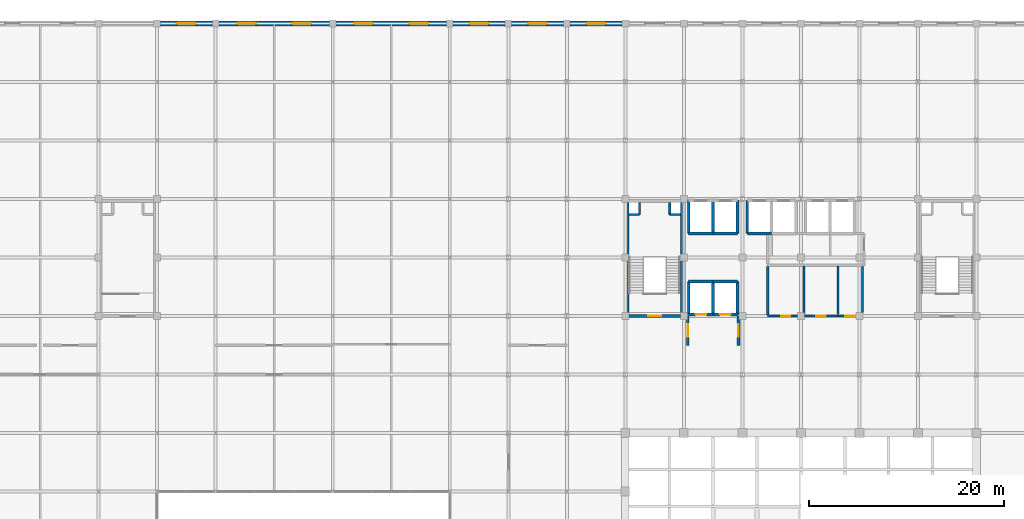
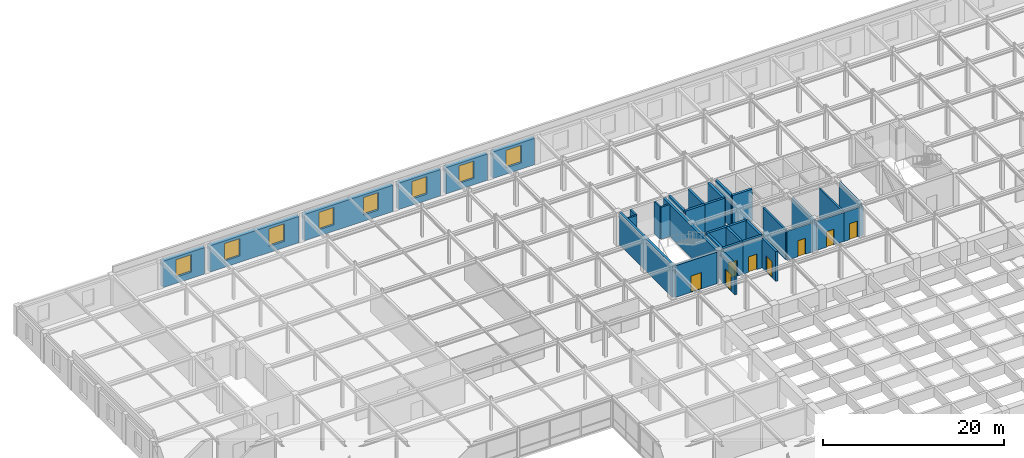
# One storey, part 105 of 111: 36 walls, 8 doors, 8 windows, 16 openings.
"""IFC4 building model written with IfcOpenShell, lengths in metres."""

from ifc_helpers import new_model, si_unit, direction, frame, frame_2d, origin, place, context, subcontext, project, spatial, rectangle, extrude, material, layer, layer_set, type_object, element, fill, save


model = new_model("IFC4")

# Units and contexts
model_context = context("Model", 3, precision=1e-05, world=origin(), true_north=direction((0.0, 1.0)))
body_context = subcontext(model_context, "Body", "Model", "MODEL_VIEW")
ifc_project = project(units=[si_unit("LENGTHUNIT", "METRE"), si_unit("AREAUNIT", "SQUARE_METRE"), si_unit("VOLUMEUNIT", "CUBIC_METRE"), si_unit("PLANEANGLEUNIT", "RADIAN"), si_unit("MASSUNIT", "GRAM", prefix="KILO")], contexts=[model_context])

# Site, building, storey
site_placement = place(None, origin())
site = spatial("IfcSite", under=ifc_project, at=site_placement, CompositionType="ELEMENT")
building_placement = place(site_placement, origin())
building = spatial("IfcBuilding", under=site, at=building_placement, Name="Zlatovratsky Civic Hall", CompositionType="ELEMENT")
storey_placement = place(building_placement, frame((0.0, 0.0, 16.5)))
storey = spatial("IfcBuildingStorey", under=building, at=storey_placement, Name="L04", CompositionType="ELEMENT", Elevation=16.5)

# Wall, opening, window
ifc_material_1 = material(Name="Acoustic ceramic blockwork", Category="masonry")
ifc_layer_1 = layer(ifc_material_1, 0.39990234375, Name="Backing")
ifc_material_2 = material(Name="Polished Karelian granite ashlar", Category="masonry")
ifc_layer_2 = layer(ifc_material_2, 0.139892578125, Name="Finish")
ifc_layer_set_1 = layer_set([ifc_layer_1, ifc_layer_2], Name="Acoustic ceramic blockwork")
wall_type_1 = type_object("IfcWallType", Name="Wall_PodiumGraniteArcade_540", PredefinedType="SOLIDWALL", material=ifc_layer_set_1)
wall_1_placement = place(storey_placement, frame((18.35009765625, 114.0, 0.0), z_axis=(0.0, 0.0, 1.0), x_axis=(1.0, 0.0, 0.0)))
wall_1 = element("IfcWall", 1, at=wall_1_placement, inside=storey, type_object=wall_type_1, Name="WL-0335", PredefinedType="SOLIDWALL", context=body_context, shape_type="SweptSolid", body=[
    extrude(rectangle(XDim=5.2998046875, YDim=0.5400390625, at=frame_2d((2.64990234375, 0.0))), origin(), (0.0, 0.0, 1.0), 3.550048828125),
])
opening_1_placement = place(wall_1_placement, frame((1.675048828125, 0.0, 0.85009765625)))
opening_1 = element("IfcOpeningElement", 2, at=opening_1_placement, cuts=wall_1, Name="Opening WN-11", PredefinedType="OPENING", context=body_context, shape_type="SweptSolid", body=[
    extrude(rectangle(XDim=1.949951171875, YDim=2.35009765625, at=frame_2d((0.97509765625, 1.175048828125))), frame((0.0, 0.284912109375, 0.0), z_axis=(0.0, -1.0, 0.0), x_axis=(1.0, 0.0, 0.0)), (0.0, 0.0, 1.0), 0.56982421875),
])
ifc_material_3 = material(Name="Low-E laminated double glazing", Category="glass")
window_type = type_object("IfcWindowType", Name="Window_AuditWingL04_1950x2350", PartitioningType="SINGLE_PANEL", PredefinedType="WINDOW", material=ifc_material_3)
window_1_placement = place(opening_1_placement, origin())
window_1 = element("IfcWindow", 3, at=window_1_placement, inside=storey, type_object=window_type, Name="WN-0259", OverallHeight=2.35009765625, OverallWidth=1.949951171875, PartitioningType="SINGLE_PANEL", PredefinedType="WINDOW", context=body_context, shape_type="SweptSolid", body=[
    extrude(rectangle(XDim=1.949951171875, YDim=2.35009765625, at=frame_2d((0.97509765625, 1.175048828125))), frame((0.0, 0.030029296875, 0.0), z_axis=(0.0, -1.0, 0.0), x_axis=(1.0, 0.0, 0.0)), (0.0, 0.0, 1.0), 0.06005859375),
])
fill(opening_1, window_1)

# Wall, openings, windows
wall_2_placement = place(storey_placement, frame((24.35009765625, 114.0, 0.0), z_axis=(0.0, 0.0, 1.0), x_axis=(1.0, 0.0, 0.0)))
wall_2 = element("IfcWall", 4, at=wall_2_placement, inside=storey, type_object=wall_type_1, Name="WL-0336", PredefinedType="SOLIDWALL", context=body_context, shape_type="SweptSolid", body=[
    extrude(rectangle(XDim=11.2998046875, YDim=0.5400390625, at=frame_2d((5.64990234375, 0.0))), origin(), (0.0, 0.0, 1.0), 3.550048828125),
])
opening_2_placement = place(wall_2_placement, frame((1.85009765625, 0.0, 0.85009765625)))
opening_2 = element("IfcOpeningElement", 5, at=opening_2_placement, cuts=wall_2, Name="Opening WN-11", PredefinedType="OPENING", context=body_context, shape_type="SweptSolid", body=[
    extrude(rectangle(XDim=1.949951171875, YDim=2.35009765625, at=frame_2d((0.97509765625, 1.175048828125))), frame((0.0, 0.284912109375, 0.0), z_axis=(0.0, -1.0, 0.0), x_axis=(1.0, 0.0, 0.0)), (0.0, 0.0, 1.0), 0.56982421875),
])
opening_3_placement = place(wall_2_placement, frame((7.5, 0.0, 0.85009765625)))
opening_3 = element("IfcOpeningElement", 6, at=opening_3_placement, cuts=wall_2, Name="Opening WN-11", PredefinedType="OPENING", context=body_context, shape_type="SweptSolid", body=[
    extrude(rectangle(XDim=1.949951171875, YDim=2.35009765625, at=frame_2d((0.97509765625, 1.175048828125))), frame((0.0, 0.284912109375, 0.0), z_axis=(0.0, -1.0, 0.0), x_axis=(1.0, 0.0, 0.0)), (0.0, 0.0, 1.0), 0.56982421875),
])
window_2_placement = place(opening_2_placement, origin())
window_2 = element("IfcWindow", 7, at=window_2_placement, inside=storey, type_object=window_type, Name="WN-0260", OverallHeight=2.35009765625, OverallWidth=1.949951171875, PartitioningType="SINGLE_PANEL", PredefinedType="WINDOW", context=body_context, shape_type="SweptSolid", body=[
    extrude(rectangle(XDim=1.949951171875, YDim=2.35009765625, at=frame_2d((0.97509765625, 1.175048828125))), frame((0.0, 0.030029296875, 0.0), z_axis=(0.0, -1.0, 0.0), x_axis=(1.0, 0.0, 0.0)), (0.0, 0.0, 1.0), 0.06005859375),
])
fill(opening_2, window_2)
window_3_placement = place(opening_3_placement, origin())
window_3 = element("IfcWindow", 8, at=window_3_placement, inside=storey, type_object=window_type, Name="WN-0261", OverallHeight=2.35009765625, OverallWidth=1.949951171875, PartitioningType="SINGLE_PANEL", PredefinedType="WINDOW", context=body_context, shape_type="SweptSolid", body=[
    extrude(rectangle(XDim=1.949951171875, YDim=2.35009765625, at=frame_2d((0.97509765625, 1.175048828125))), frame((0.0, 0.030029296875, 0.0), z_axis=(0.0, -1.0, 0.0), x_axis=(1.0, 0.0, 0.0)), (0.0, 0.0, 1.0), 0.06005859375),
])
fill(opening_3, window_3)

wall_3_placement = place(storey_placement, frame((36.35009765625, 114.0, 0.0), z_axis=(0.0, 0.0, 1.0), x_axis=(1.0, 0.0, 0.0)))
wall_3 = element("IfcWall", 9, at=wall_3_placement, inside=storey, type_object=wall_type_1, Name="WL-0337", PredefinedType="SOLIDWALL", context=body_context, shape_type="SweptSolid", body=[
    extrude(rectangle(XDim=11.2998046875, YDim=0.5400390625, at=frame_2d((5.64990234375, 0.0))), origin(), (0.0, 0.0, 1.0), 3.550048828125),
])
opening_4_placement = place(wall_3_placement, frame((1.85009765625, 0.0, 0.85009765625)))
opening_4 = element("IfcOpeningElement", 10, at=opening_4_placement, cuts=wall_3, Name="Opening WN-11", PredefinedType="OPENING", context=body_context, shape_type="SweptSolid", body=[
    extrude(rectangle(XDim=1.949951171875, YDim=2.35009765625, at=frame_2d((0.97509765625, 1.175048828125))), frame((0.0, 0.284912109375, 0.0), z_axis=(0.0, -1.0, 0.0), x_axis=(1.0, 0.0, 0.0)), (0.0, 0.0, 1.0), 0.56982421875),
])
opening_5_placement = place(wall_3_placement, frame((7.5, 0.0, 0.85009765625)))
opening_5 = element("IfcOpeningElement", 11, at=opening_5_placement, cuts=wall_3, Name="Opening WN-11", PredefinedType="OPENING", context=body_context, shape_type="SweptSolid", body=[
    extrude(rectangle(XDim=1.949951171875, YDim=2.35009765625, at=frame_2d((0.97509765625, 1.175048828125))), frame((0.0, 0.284912109375, 0.0), z_axis=(0.0, -1.0, 0.0), x_axis=(1.0, 0.0, 0.0)), (0.0, 0.0, 1.0), 0.56982421875),
])
window_4_placement = place(opening_4_placement, origin())
window_4 = element("IfcWindow", 12, at=window_4_placement, inside=storey, type_object=window_type, Name="WN-0262", OverallHeight=2.35009765625, OverallWidth=1.949951171875, PartitioningType="SINGLE_PANEL", PredefinedType="WINDOW", context=body_context, shape_type="SweptSolid", body=[
    extrude(rectangle(XDim=1.949951171875, YDim=2.35009765625, at=frame_2d((0.97509765625, 1.175048828125))), frame((0.0, 0.030029296875, 0.0), z_axis=(0.0, -1.0, 0.0), x_axis=(1.0, 0.0, 0.0)), (0.0, 0.0, 1.0), 0.06005859375),
])
fill(opening_4, window_4)
window_5_placement = place(opening_5_placement, origin())
window_5 = element("IfcWindow", 13, at=window_5_placement, inside=storey, type_object=window_type, Name="WN-0263", OverallHeight=2.35009765625, OverallWidth=1.949951171875, PartitioningType="SINGLE_PANEL", PredefinedType="WINDOW", context=body_context, shape_type="SweptSolid", body=[
    extrude(rectangle(XDim=1.949951171875, YDim=2.35009765625, at=frame_2d((0.97509765625, 1.175048828125))), frame((0.0, 0.030029296875, 0.0), z_axis=(0.0, -1.0, 0.0), x_axis=(1.0, 0.0, 0.0)), (0.0, 0.0, 1.0), 0.06005859375),
])
fill(opening_5, window_5)

# Wall, opening, window
wall_4_placement = place(storey_placement, frame((48.35009765625, 114.0, 0.0), z_axis=(0.0, 0.0, 1.0), x_axis=(1.0, 0.0, 0.0)))
wall_4 = element("IfcWall", 14, at=wall_4_placement, inside=storey, type_object=wall_type_1, Name="WL-0338", PredefinedType="SOLIDWALL", context=body_context, shape_type="SweptSolid", body=[
    extrude(rectangle(XDim=5.2998046875, YDim=0.5400390625, at=frame_2d((2.64990234375, 0.0))), origin(), (0.0, 0.0, 1.0), 3.550048828125),
])
opening_6_placement = place(wall_4_placement, frame((1.675048828125, 0.0, 0.85009765625)))
opening_6 = element("IfcOpeningElement", 15, at=opening_6_placement, cuts=wall_4, Name="Opening WN-11", PredefinedType="OPENING", context=body_context, shape_type="SweptSolid", body=[
    extrude(rectangle(XDim=1.949951171875, YDim=2.35009765625, at=frame_2d((0.97509765625, 1.175048828125))), frame((0.0, 0.284912109375, 0.0), z_axis=(0.0, -1.0, 0.0), x_axis=(1.0, 0.0, 0.0)), (0.0, 0.0, 1.0), 0.56982421875),
])
window_6_placement = place(opening_6_placement, origin())
window_6 = element("IfcWindow", 16, at=window_6_placement, inside=storey, type_object=window_type, Name="WN-0264", OverallHeight=2.35009765625, OverallWidth=1.949951171875, PartitioningType="SINGLE_PANEL", PredefinedType="WINDOW", context=body_context, shape_type="SweptSolid", body=[
    extrude(rectangle(XDim=1.949951171875, YDim=2.35009765625, at=frame_2d((0.97509765625, 1.175048828125))), frame((0.0, 0.030029296875, 0.0), z_axis=(0.0, -1.0, 0.0), x_axis=(1.0, 0.0, 0.0)), (0.0, 0.0, 1.0), 0.06005859375),
])
fill(opening_6, window_6)

wall_5_placement = place(storey_placement, frame((54.35009765625, 114.0, 0.0), z_axis=(0.0, 0.0, 1.0), x_axis=(1.0, 0.0, 0.0)))
wall_5 = element("IfcWall", 17, at=wall_5_placement, inside=storey, type_object=wall_type_1, Name="WL-0339", PredefinedType="SOLIDWALL", context=body_context, shape_type="SweptSolid", body=[
    extrude(rectangle(XDim=5.2998046875, YDim=0.5400390625, at=frame_2d((2.64990234375, 0.0))), origin(), (0.0, 0.0, 1.0), 3.550048828125),
])
opening_7_placement = place(wall_5_placement, frame((1.675048828125, 0.0, 0.85009765625)))
opening_7 = element("IfcOpeningElement", 18, at=opening_7_placement, cuts=wall_5, Name="Opening WN-11", PredefinedType="OPENING", context=body_context, shape_type="SweptSolid", body=[
    extrude(rectangle(XDim=1.949951171875, YDim=2.35009765625, at=frame_2d((0.97509765625, 1.175048828125))), frame((0.0, 0.284912109375, 0.0), z_axis=(0.0, -1.0, 0.0), x_axis=(1.0, 0.0, 0.0)), (0.0, 0.0, 1.0), 0.56982421875),
])
window_7_placement = place(opening_7_placement, origin())
window_7 = element("IfcWindow", 19, at=window_7_placement, inside=storey, type_object=window_type, Name="WN-0265", OverallHeight=2.35009765625, OverallWidth=1.949951171875, PartitioningType="SINGLE_PANEL", PredefinedType="WINDOW", context=body_context, shape_type="SweptSolid", body=[
    extrude(rectangle(XDim=1.949951171875, YDim=2.35009765625, at=frame_2d((0.97509765625, 1.175048828125))), frame((0.0, 0.030029296875, 0.0), z_axis=(0.0, -1.0, 0.0), x_axis=(1.0, 0.0, 0.0)), (0.0, 0.0, 1.0), 0.06005859375),
])
fill(opening_7, window_7)

wall_6_placement = place(storey_placement, frame((60.35009765625, 114.0, 0.0), z_axis=(0.0, 0.0, 1.0), x_axis=(1.0, 0.0, 0.0)))
wall_6 = element("IfcWall", 20, at=wall_6_placement, inside=storey, type_object=wall_type_1, Name="WL-0340", PredefinedType="SOLIDWALL", context=body_context, shape_type="SweptSolid", body=[
    extrude(rectangle(XDim=5.2998046875, YDim=0.5400390625, at=frame_2d((2.64990234375, 0.0))), origin(), (0.0, 0.0, 1.0), 3.550048828125),
])
opening_8_placement = place(wall_6_placement, frame((1.675048828125, 0.0, 0.85009765625)))
opening_8 = element("IfcOpeningElement", 21, at=opening_8_placement, cuts=wall_6, Name="Opening WN-11", PredefinedType="OPENING", context=body_context, shape_type="SweptSolid", body=[
    extrude(rectangle(XDim=1.949951171875, YDim=2.35009765625, at=frame_2d((0.97509765625, 1.175048828125))), frame((0.0, 0.284912109375, 0.0), z_axis=(0.0, -1.0, 0.0), x_axis=(1.0, 0.0, 0.0)), (0.0, 0.0, 1.0), 0.56982421875),
])
window_8_placement = place(opening_8_placement, origin())
window_8 = element("IfcWindow", 22, at=window_8_placement, inside=storey, type_object=window_type, Name="WN-0266", OverallHeight=2.35009765625, OverallWidth=1.949951171875, PartitioningType="SINGLE_PANEL", PredefinedType="WINDOW", context=body_context, shape_type="SweptSolid", body=[
    extrude(rectangle(XDim=1.949951171875, YDim=2.35009765625, at=frame_2d((0.97509765625, 1.175048828125))), frame((0.0, 0.030029296875, 0.0), z_axis=(0.0, -1.0, 0.0), x_axis=(1.0, 0.0, 0.0)), (0.0, 0.0, 1.0), 0.06005859375),
])
fill(opening_8, window_8)

# Walls
ifc_layer_3 = layer(ifc_material_1, 0.219970703125)
ifc_layer_set_2 = layer_set([ifc_layer_3], Name="Acoustic ceramic blockwork")
wall_type_2 = type_object("IfcWallType", Name="Wall_SanitaryWetCore_220", PredefinedType="PARTITIONING", material=ifc_layer_set_2)
wall_7_placement = place(storey_placement, frame((67.449951171875, 94.39990234375, 0.0), z_axis=(0.0, 0.0, 1.0), x_axis=(0.0, 1.0, 0.0)))
element("IfcWall", 23, at=wall_7_placement, inside=storey, type_object=wall_type_2, Name="WL-5037", PredefinedType="PARTITIONING", context=body_context, shape_type="SweptSolid", body=[
    extrude(rectangle(XDim=1.25, YDim=0.219970703125, at=frame_2d((0.625, 0.0))), origin(), (0.0, 0.0, 1.0), 4.340087890625),
])
wall_8_placement = place(storey_placement, frame((66.35009765625, 94.39990234375, 0.0), z_axis=(0.0, 0.0, 1.0), x_axis=(1.0, 0.0, 0.0)))
element("IfcWall", 24, at=wall_8_placement, inside=storey, type_object=wall_type_2, Name="WL-5038", PredefinedType="PARTITIONING", context=body_context, shape_type="SweptSolid", body=[
    extrude(rectangle(XDim=1.099853515625, YDim=0.219970703125, at=frame_2d((0.5498046875, 0.0))), origin(), (0.0, 0.0, 1.0), 4.340087890625),
])
wall_9_placement = place(storey_placement, frame((70.550048828125, 94.39990234375, 0.0), z_axis=(0.0, 0.0, 1.0), x_axis=(0.0, 1.0, 0.0)))
element("IfcWall", 25, at=wall_9_placement, inside=storey, type_object=wall_type_2, Name="WL-5039", PredefinedType="PARTITIONING", context=body_context, shape_type="SweptSolid", body=[
    extrude(rectangle(XDim=1.25, YDim=0.219970703125, at=frame_2d((0.625, 0.0))), origin(), (0.0, 0.0, 1.0), 4.340087890625),
])
wall_10_placement = place(storey_placement, frame((70.550048828125, 94.39990234375, 0.0), z_axis=(0.0, 0.0, 1.0), x_axis=(1.0, 0.0, 0.0)))
element("IfcWall", 26, at=wall_10_placement, inside=storey, type_object=wall_type_2, Name="WL-5040", PredefinedType="PARTITIONING", context=body_context, shape_type="SweptSolid", body=[
    extrude(rectangle(XDim=1.099853515625, YDim=0.219970703125, at=frame_2d((0.5498046875, 0.0))), origin(), (0.0, 0.0, 1.0), 4.340087890625),
])

# Wall, opening, door
wall_11_placement = place(storey_placement, frame((80.60009765625, 84.0, 0.0), z_axis=(0.0, 0.0, 1.0), x_axis=(1.0, 0.0, 0.0)))
wall_11 = element("IfcWall", 27, at=wall_11_placement, inside=storey, type_object=wall_type_2, Name="WL-6212", PredefinedType="PARTITIONING", context=body_context, shape_type="SweptSolid", body=[
    extrude(rectangle(XDim=3.699951171875, YDim=0.219970703125, at=frame_2d((1.85009765625, 0.0))), origin(), (0.0, 0.0, 1.0), 3.89990234375),
])
opening_9_placement = place(wall_11_placement, frame((1.375, 0.0, 0.0)))
opening_9 = element("IfcOpeningElement", 28, at=opening_9_placement, cuts=wall_11, Name="Opening D-21", PredefinedType="OPENING", context=body_context, shape_type="SweptSolid", body=[
    extrude(rectangle(XDim=0.949951171875, YDim=2.14990234375, at=frame_2d((0.47509765625, 1.074951171875))), frame((0.0, 0.125, 0.0), z_axis=(0.0, -1.0, 0.0), x_axis=(1.0, 0.0, 0.0)), (0.0, 0.0, 1.0), 0.249755859375),
])
ifc_material_4 = material(Name="Solid oak joinery in steel frame", Category="steel")
door_type_1 = type_object("IfcDoorType", Name="Door_MensWC_950x2150", OperationType="NOTDEFINED", PredefinedType="DOOR", material=ifc_material_4)
door_1_placement = place(opening_9_placement, origin())
door_1 = element("IfcDoor", 29, at=door_1_placement, inside=storey, type_object=door_type_1, Name="DR-5316", OperationType="SINGLE_SWING_LEFT", OverallHeight=2.14990234375, OverallWidth=0.949951171875, PredefinedType="DOOR", context=body_context, shape_type="SweptSolid", body=[
    extrude(rectangle(XDim=0.949951171875, YDim=2.14990234375, at=frame_2d((0.47509765625, 1.074951171875))), frame((0.0, 0.02490234375, 0.0), z_axis=(0.0, -1.0, 0.0), x_axis=(1.0, 0.0, 0.0)), (0.0, 0.0, 1.0), 0.050048828125),
])
fill(opening_9, door_1)

wall_12_placement = place(storey_placement, frame((84.300048828125, 84.0, 0.0), z_axis=(0.0, 0.0, 1.0), x_axis=(1.0, 0.0, 0.0)))
wall_12 = element("IfcWall", 30, at=wall_12_placement, inside=storey, type_object=wall_type_2, Name="WL-6213", PredefinedType="PARTITIONING", context=body_context, shape_type="SweptSolid", body=[
    extrude(rectangle(XDim=3.5, YDim=0.219970703125, at=frame_2d((1.75, 0.0))), origin(), (0.0, 0.0, 1.0), 3.89990234375),
])
opening_10_placement = place(wall_12_placement, frame((1.27490234375, 0.0, 0.0)))
opening_10 = element("IfcOpeningElement", 31, at=opening_10_placement, cuts=wall_12, Name="Opening D-22", PredefinedType="OPENING", context=body_context, shape_type="SweptSolid", body=[
    extrude(rectangle(XDim=0.949951171875, YDim=2.10009765625, at=frame_2d((0.47509765625, 1.050048828125))), frame((0.0, 0.125, 0.0), z_axis=(0.0, -1.0, 0.0), x_axis=(1.0, 0.0, 0.0)), (0.0, 0.0, 1.0), 0.249755859375),
])
door_type_2 = type_object("IfcDoorType", Name="Door_WomensWC_950x2100", OperationType="NOTDEFINED", PredefinedType="DOOR", material=ifc_material_4)
door_2_placement = place(opening_10_placement, origin())
door_2 = element("IfcDoor", 32, at=door_2_placement, inside=storey, type_object=door_type_2, Name="DR-5317", OperationType="SINGLE_SWING_RIGHT", OverallHeight=2.10009765625, OverallWidth=0.949951171875, PredefinedType="DOOR", context=body_context, shape_type="SweptSolid", body=[
    extrude(rectangle(XDim=0.949951171875, YDim=2.10009765625, at=frame_2d((0.47509765625, 1.050048828125))), frame((0.0, 0.02490234375, 0.0), z_axis=(0.0, -1.0, 0.0), x_axis=(1.0, 0.0, 0.0)), (0.0, 0.0, 1.0), 0.050048828125),
])
fill(opening_10, door_2)

wall_13_placement = place(storey_placement, frame((87.800048828125, 84.0, 0.0), z_axis=(0.0, 0.0, 1.0), x_axis=(1.0, 0.0, 0.0)))
wall_13 = element("IfcWall", 33, at=wall_13_placement, inside=storey, type_object=wall_type_2, Name="WL-6214", PredefinedType="PARTITIONING", context=body_context, shape_type="SweptSolid", body=[
    extrude(rectangle(XDim=2.5, YDim=0.219970703125, at=frame_2d((1.25, 0.0))), origin(), (0.0, 0.0, 1.0), 3.89990234375),
])
opening_11_placement = place(wall_13_placement, frame((0.75, 0.0, 0.0)))
opening_11 = element("IfcOpeningElement", 34, at=opening_11_placement, cuts=wall_13, Name="Opening D-20", PredefinedType="OPENING", context=body_context, shape_type="SweptSolid", body=[
    extrude(rectangle(XDim=1.0, YDim=2.14990234375, at=frame_2d((0.5, 1.074951171875))), frame((0.0, 0.125, 0.0), z_axis=(0.0, -1.0, 0.0), x_axis=(1.0, 0.0, 0.0)), (0.0, 0.0, 1.0), 0.249755859375),
])
door_type_3 = type_object("IfcDoorType", Name="Door_AccessibleWC_1000x2150", OperationType="NOTDEFINED", PredefinedType="DOOR", material=ifc_material_4)
door_3_placement = place(opening_11_placement, origin())
door_3 = element("IfcDoor", 35, at=door_3_placement, inside=storey, type_object=door_type_3, Name="DR-5318", OperationType="SINGLE_SWING_LEFT", OverallHeight=2.14990234375, OverallWidth=1.0, PredefinedType="DOOR", context=body_context, shape_type="SweptSolid", body=[
    extrude(rectangle(XDim=1.0, YDim=2.14990234375, at=frame_2d((0.5, 1.074951171875))), frame((0.0, 0.02490234375, 0.0), z_axis=(0.0, -1.0, 0.0), x_axis=(1.0, 0.0, 0.0)), (0.0, 0.0, 1.0), 0.050048828125),
])
fill(opening_11, door_3)

# Walls
for number, where, z_axis, x_axis, name in (
    (36, (84.300048828125, 84.14990234375, 0.0), (0.0, 0.0, 1.0), (0.0, 1.0, 0.0), "WL-6215"),
    (37, (87.800048828125, 84.14990234375, 0.0), (0.0, 0.0, 1.0), (0.0, 1.0, 0.0), "WL-6216"),
):
    element("IfcWall", number, at=place(storey_placement, frame(where, z_axis=z_axis, x_axis=x_axis)), inside=storey, type_object=wall_type_2, Name=name, PredefinedType="PARTITIONING", context=body_context, shape_type="SweptSolid", body=[
        extrude(rectangle(XDim=5.0, YDim=0.219970703125, at=frame_2d((2.5, 0.0))), origin(), (0.0, 0.0, 1.0), 4.0),
    ])
wall_14_placement = place(storey_placement, frame((80.60009765625, 84.110107421875, 0.0), z_axis=(0.0, 0.0, 1.0), x_axis=(0.0, 1.0, 0.0)))
element("IfcWall", 38, at=wall_14_placement, inside=storey, type_object=wall_type_2, Name="WL-6252", PredefinedType="PARTITIONING", context=body_context, shape_type="SweptSolid", body=[
    extrude(rectangle(XDim=4.97998046875, YDim=0.219970703125, at=frame_2d((2.489990234375, 0.0))), origin(), (0.0, 0.0, 1.0), 4.0),
])
wall_15_placement = place(storey_placement, frame((90.300048828125, 84.360107421875, 0.0), z_axis=(0.0, 0.0, 1.0), x_axis=(0.0, 1.0, 0.0)))
element("IfcWall", 39, at=wall_15_placement, inside=storey, type_object=wall_type_2, Name="WL-6253", PredefinedType="PARTITIONING", context=body_context, shape_type="SweptSolid", body=[
    extrude(rectangle(XDim=4.72998046875, YDim=0.219970703125, at=frame_2d((2.364990234375, 0.0))), origin(), (0.0, 0.0, 1.0), 4.0),
])

# Wall, opening, door
ifc_material_5 = material(Name="Concrete C35/45 (B40)", Category="concrete")
ifc_layer_4 = layer(ifc_material_5, 0.300048828125)
ifc_layer_set_3 = layer_set([ifc_layer_4], Name="Concrete C35/45 (B40)")
wall_type_3 = type_object("IfcWallType", Name="Wall_StairAndLiftShaft_300", PredefinedType="SHEAR", material=ifc_layer_set_3)
wall_16_placement = place(storey_placement, frame((66.35009765625, 84.0, 0.0), z_axis=(0.0, 0.0, 1.0), x_axis=(1.0, 0.0, 0.0)))
wall_16 = element("IfcWall", 40, at=wall_16_placement, inside=storey, type_object=wall_type_3, Name="WL-5033", PredefinedType="SHEAR", context=body_context, shape_type="SweptSolid", body=[
    extrude(rectangle(XDim=5.2998046875, YDim=0.300048828125, at=frame_2d((2.64990234375, 0.0))), origin(), (0.0, 0.0, 1.0), 4.260009765625),
])
opening_12_placement = place(wall_16_placement, frame((1.97509765625, 0.0, 0.0)))
opening_12 = element("IfcOpeningElement", 41, at=opening_12_placement, cuts=wall_16, Name="Opening D-17", PredefinedType="OPENING", context=body_context, shape_type="SweptSolid", body=[
    extrude(rectangle(XDim=1.35009765625, YDim=2.199951171875, at=frame_2d((0.675048828125, 1.10009765625))), frame((0.0, 0.1650390625, 0.0), z_axis=(0.0, -1.0, 0.0), x_axis=(1.0, 0.0, 0.0)), (0.0, 0.0, 1.0), 0.329833984375),
])
ifc_material_6 = material(Name="Insulated painted fire-rated steel leaf", Category="steel")
door_type_4 = type_object("IfcDoorType", Name="Door_StairwellFireTower_1350x2200", OperationType="NOTDEFINED", PredefinedType="DOOR", material=ifc_material_6)
door_4_placement = place(opening_12_placement, origin())
door_4 = element("IfcDoor", 42, at=door_4_placement, inside=storey, type_object=door_type_4, Name="DR-5005", OperationType="SINGLE_SWING_LEFT", OverallHeight=2.199951171875, OverallWidth=1.35009765625, PredefinedType="DOOR", context=body_context, shape_type="SweptSolid", body=[
    extrude(rectangle(XDim=1.35009765625, YDim=2.199951171875, at=frame_2d((0.675048828125, 1.10009765625))), frame((0.0, 0.02490234375, 0.0), z_axis=(0.0, -1.0, 0.0), x_axis=(1.0, 0.0, 0.0)), (0.0, 0.0, 1.0), 0.050048828125),
])
fill(opening_12, door_4)

# Walls
for number, where, z_axis, x_axis, name in (
    (43, (66.199951171875, 84.0, 0.0), (0.0, 0.0, 1.0), (0.0, 1.0, 0.0), "WL-5035"),
    (44, (71.800048828125, 84.0, 0.0), (0.0, 0.0, 1.0), (0.0, 1.0, 0.0), "WL-5036"),
):
    element("IfcWall", number, at=place(storey_placement, frame(where, z_axis=z_axis, x_axis=x_axis)), inside=storey, type_object=wall_type_3, Name=name, PredefinedType="SHEAR", context=body_context, shape_type="SweptSolid", body=[
        extrude(rectangle(XDim=11.800048828125, YDim=0.300048828125, at=frame_2d((5.89990234375, 0.0))), origin(), (0.0, 0.0, 1.0), 4.340087890625),
    ])

# Wall, opening, door
wall_17_placement = place(storey_placement, frame((72.5, 84.14990234375, 0.0), z_axis=(0.0, 0.0, 1.0), x_axis=(1.0, 0.0, 0.0)))
wall_17 = element("IfcWall", 45, at=wall_17_placement, inside=storey, type_object=wall_type_3, Name="WL-5505", PredefinedType="SHEAR", context=body_context, shape_type="SweptSolid", body=[
    extrude(rectangle(XDim=2.5, YDim=0.300048828125, at=frame_2d((1.25, 0.0))), origin(), (0.0, 0.0, 1.0), 4.340087890625),
])
opening_13_placement = place(wall_17_placement, frame((0.699951171875, 0.0, 0.0)))
opening_13 = element("IfcOpeningElement", 46, at=opening_13_placement, cuts=wall_17, Name="Opening LD-01", PredefinedType="OPENING", context=body_context, shape_type="SweptSolid", body=[
    extrude(rectangle(XDim=1.10009765625, YDim=2.10009765625, at=frame_2d((0.550048828125, 1.050048828125))), frame((0.0, 0.1650390625, 0.0), z_axis=(0.0, -1.0, 0.0), x_axis=(1.0, 0.0, 0.0)), (0.0, 0.0, 1.0), 0.329833984375),
])
ifc_material_7 = material(Name="Brushed stainless steel AISI 304", Category="steel")
door_type_5 = type_object("IfcDoorType", Name="Door_LiftLandingFire_1100x2100", OperationType="DOUBLE_DOOR_SLIDING", PredefinedType="DOOR", material=ifc_material_7)
door_5_placement = place(opening_13_placement, origin())
door_5 = element("IfcDoor", 47, at=door_5_placement, inside=storey, type_object=door_type_5, Name="Lift landing door LD-5063", OperationType="DOUBLE_DOOR_SLIDING", OverallHeight=2.10009765625, OverallWidth=1.10009765625, PredefinedType="DOOR", context=body_context, shape_type="SweptSolid", body=[
    extrude(rectangle(XDim=1.10009765625, YDim=2.10009765625, at=frame_2d((0.550048828125, 1.050048828125))), frame((0.0, 0.02490234375, 0.0), z_axis=(0.0, -1.0, 0.0), x_axis=(1.0, 0.0, 0.0)), (0.0, 0.0, 1.0), 0.050048828125),
])
fill(opening_13, door_5)

# Walls
wall_18_placement = place(storey_placement, frame((72.5, 87.550048828125, 0.0), z_axis=(0.0, 0.0, 1.0), x_axis=(1.0, 0.0, 0.0)))
element("IfcWall", 48, at=wall_18_placement, inside=storey, type_object=wall_type_3, Name="WL-5506", PredefinedType="SHEAR", context=body_context, shape_type="SweptSolid", body=[
    extrude(rectangle(XDim=2.5, YDim=0.300048828125, at=frame_2d((1.25, 0.0))), origin(), (0.0, 0.0, 1.0), 4.340087890625),
])
wall_19_placement = place(storey_placement, frame((72.5, 84.14990234375, 0.0), z_axis=(0.0, 0.0, 1.0), x_axis=(0.0, 1.0, 0.0)))
element("IfcWall", 49, at=wall_19_placement, inside=storey, type_object=wall_type_3, Name="WL-5507", PredefinedType="SHEAR", context=body_context, shape_type="SweptSolid", body=[
    extrude(rectangle(XDim=3.400146484375, YDim=0.300048828125, at=frame_2d((1.7001953125, 0.0))), origin(), (0.0, 0.0, 1.0), 4.340087890625),
])

# Wall, opening, door
wall_20_placement = place(storey_placement, frame((75.0, 84.14990234375, 0.0), z_axis=(0.0, 0.0, 1.0), x_axis=(1.0, 0.0, 0.0)))
wall_20 = element("IfcWall", 50, at=wall_20_placement, inside=storey, type_object=wall_type_3, Name="WL-5566", PredefinedType="SHEAR", context=body_context, shape_type="SweptSolid", body=[
    extrude(rectangle(XDim=2.5, YDim=0.300048828125, at=frame_2d((1.25, 0.0))), origin(), (0.0, 0.0, 1.0), 4.340087890625),
])
opening_14_placement = place(wall_20_placement, frame((0.699951171875, 0.0, 0.0)))
opening_14 = element("IfcOpeningElement", 51, at=opening_14_placement, cuts=wall_20, Name="Opening LD-01", PredefinedType="OPENING", context=body_context, shape_type="SweptSolid", body=[
    extrude(rectangle(XDim=1.10009765625, YDim=2.10009765625, at=frame_2d((0.550048828125, 1.050048828125))), frame((0.0, 0.1650390625, 0.0), z_axis=(0.0, -1.0, 0.0), x_axis=(1.0, 0.0, 0.0)), (0.0, 0.0, 1.0), 0.329833984375),
])
door_6_placement = place(opening_14_placement, origin())
door_6 = element("IfcDoor", 52, at=door_6_placement, inside=storey, type_object=door_type_5, Name="Lift landing door LD-5082", OperationType="DOUBLE_DOOR_SLIDING", OverallHeight=2.10009765625, OverallWidth=1.10009765625, PredefinedType="DOOR", context=body_context, shape_type="SweptSolid", body=[
    extrude(rectangle(XDim=1.10009765625, YDim=2.10009765625, at=frame_2d((0.550048828125, 1.050048828125))), frame((0.0, 0.02490234375, 0.0), z_axis=(0.0, -1.0, 0.0), x_axis=(1.0, 0.0, 0.0)), (0.0, 0.0, 1.0), 0.050048828125),
])
fill(opening_14, door_6)

# Walls
wall_21_placement = place(storey_placement, frame((75.0, 87.550048828125, 0.0), z_axis=(0.0, 0.0, 1.0), x_axis=(1.0, 0.0, 0.0)))
element("IfcWall", 53, at=wall_21_placement, inside=storey, type_object=wall_type_3, Name="WL-5567", PredefinedType="SHEAR", context=body_context, shape_type="SweptSolid", body=[
    extrude(rectangle(XDim=2.5, YDim=0.300048828125, at=frame_2d((1.25, 0.0))), origin(), (0.0, 0.0, 1.0), 4.340087890625),
])
for number, where, z_axis, x_axis, name in (
    (54, (75.0, 84.14990234375, 0.0), (0.0, 0.0, 1.0), (0.0, 1.0, 0.0), "WL-5568"),
    (55, (77.5, 84.14990234375, 0.0), (0.0, 0.0, 1.0), (0.0, 1.0, 0.0), "WL-5569"),
):
    element("IfcWall", number, at=place(storey_placement, frame(where, z_axis=z_axis, x_axis=x_axis)), inside=storey, type_object=wall_type_3, Name=name, PredefinedType="SHEAR", context=body_context, shape_type="SweptSolid", body=[
        extrude(rectangle(XDim=3.400146484375, YDim=0.300048828125, at=frame_2d((1.7001953125, 0.0))), origin(), (0.0, 0.0, 1.0), 4.340087890625),
    ])
wall_22_placement = place(storey_placement, frame((72.5, 92.449951171875, 0.0), z_axis=(0.0, 0.0, 1.0), x_axis=(1.0, 0.0, 0.0)))
element("IfcWall", 56, at=wall_22_placement, inside=storey, type_object=wall_type_3, Name="WL-5639", PredefinedType="SHEAR", context=body_context, shape_type="SweptSolid", body=[
    extrude(rectangle(XDim=2.5, YDim=0.300048828125, at=frame_2d((1.25, 0.0))), origin(), (0.0, 0.0, 1.0), 4.340087890625),
])
wall_23_placement = place(storey_placement, frame((72.5, 92.449951171875, 0.0), z_axis=(0.0, 0.0, 1.0), x_axis=(0.0, 1.0, 0.0)))
element("IfcWall", 57, at=wall_23_placement, inside=storey, type_object=wall_type_3, Name="WL-5640", PredefinedType="SHEAR", context=body_context, shape_type="SweptSolid", body=[
    extrude(rectangle(XDim=3.400146484375, YDim=0.300048828125, at=frame_2d((1.7001953125, 0.0))), origin(), (0.0, 0.0, 1.0), 4.340087890625),
])
wall_24_placement = place(storey_placement, frame((75.0, 92.449951171875, 0.0), z_axis=(0.0, 0.0, 1.0), x_axis=(1.0, 0.0, 0.0)))
element("IfcWall", 58, at=wall_24_placement, inside=storey, type_object=wall_type_3, Name="WL-5700", PredefinedType="SHEAR", context=body_context, shape_type="SweptSolid", body=[
    extrude(rectangle(XDim=2.5, YDim=0.300048828125, at=frame_2d((1.25, 0.0))), origin(), (0.0, 0.0, 1.0), 4.340087890625),
])
for number, where, z_axis, x_axis, name in (
    (59, (75.0, 92.449951171875, 0.0), (0.0, 0.0, 1.0), (0.0, 1.0, 0.0), "WL-5701"),
    (60, (77.5, 92.449951171875, 0.0), (0.0, 0.0, 1.0), (0.0, 1.0, 0.0), "WL-5702"),
):
    element("IfcWall", number, at=place(storey_placement, frame(where, z_axis=z_axis, x_axis=x_axis)), inside=storey, type_object=wall_type_3, Name=name, PredefinedType="SHEAR", context=body_context, shape_type="SweptSolid", body=[
        extrude(rectangle(XDim=3.400146484375, YDim=0.300048828125, at=frame_2d((1.7001953125, 0.0))), origin(), (0.0, 0.0, 1.0), 4.340087890625),
    ])
wall_25_placement = place(storey_placement, frame((78.5, 92.449951171875, 0.0), z_axis=(0.0, 0.0, 1.0), x_axis=(1.0, 0.0, 0.0)))
element("IfcWall", 61, at=wall_25_placement, inside=storey, type_object=wall_type_3, Name="WL-5772", PredefinedType="SHEAR", context=body_context, shape_type="SweptSolid", body=[
    extrude(rectangle(XDim=2.5, YDim=0.300048828125, at=frame_2d((1.25, 0.0))), origin(), (0.0, 0.0, 1.0), 4.340087890625),
])
wall_26_placement = place(storey_placement, frame((78.5, 92.449951171875, 0.0), z_axis=(0.0, 0.0, 1.0), x_axis=(0.0, 1.0, 0.0)))
element("IfcWall", 62, at=wall_26_placement, inside=storey, type_object=wall_type_3, Name="WL-5773", PredefinedType="SHEAR", context=body_context, shape_type="SweptSolid", body=[
    extrude(rectangle(XDim=3.400146484375, YDim=0.300048828125, at=frame_2d((1.7001953125, 0.0))), origin(), (0.0, 0.0, 1.0), 4.340087890625),
])

# Wall, opening, door
wall_27_placement = place(storey_placement, frame((72.39990234375, 81.0, 0.0), z_axis=(0.0, 0.0, 1.0), x_axis=(0.0, 1.0, 0.0)))
wall_27 = element("IfcWall", 63, at=wall_27_placement, inside=storey, type_object=wall_type_3, Name="WL-6210", PredefinedType="SHEAR", context=body_context, shape_type="SweptSolid", body=[
    extrude(rectangle(XDim=3.0, YDim=0.300048828125, at=frame_2d((1.5, 0.0))), origin(), (0.0, 0.0, 1.0), 4.0),
])
opening_15_placement = place(wall_27_placement, frame((0.85009765625, 0.0, 0.0)))
opening_15 = element("IfcOpeningElement", 64, at=opening_15_placement, cuts=wall_27, Name="Opening D-18", PredefinedType="OPENING", context=body_context, shape_type="SweptSolid", body=[
    extrude(rectangle(XDim=1.300048828125, YDim=2.199951171875, at=frame_2d((0.64990234375, 1.10009765625))), frame((0.0, 0.1650390625, 0.0), z_axis=(0.0, -1.0, 0.0), x_axis=(1.0, 0.0, 0.0)), (0.0, 0.0, 1.0), 0.329833984375),
])
door_type_6 = type_object("IfcDoorType", Name="Door_FireLobbyAirlock_1300x2200", OperationType="NOTDEFINED", PredefinedType="DOOR", material=ifc_material_6)
door_7_placement = place(opening_15_placement, origin())
door_7 = element("IfcDoor", 65, at=door_7_placement, inside=storey, type_object=door_type_6, Name="DR-5314", OperationType="SINGLE_SWING_RIGHT", OverallHeight=2.199951171875, OverallWidth=1.300048828125, PredefinedType="DOOR", context=body_context, shape_type="SweptSolid", body=[
    extrude(rectangle(XDim=1.300048828125, YDim=2.199951171875, at=frame_2d((0.64990234375, 1.10009765625))), frame((0.0, 0.02490234375, 0.0), z_axis=(0.0, -1.0, 0.0), x_axis=(1.0, 0.0, 0.0)), (0.0, 0.0, 1.0), 0.050048828125),
])
fill(opening_15, door_7)

wall_28_placement = place(storey_placement, frame((77.60009765625, 81.0, 0.0), z_axis=(0.0, 0.0, 1.0), x_axis=(0.0, 1.0, 0.0)))
wall_28 = element("IfcWall", 66, at=wall_28_placement, inside=storey, type_object=wall_type_3, Name="WL-6211", PredefinedType="SHEAR", context=body_context, shape_type="SweptSolid", body=[
    extrude(rectangle(XDim=3.0, YDim=0.300048828125, at=frame_2d((1.5, 0.0))), origin(), (0.0, 0.0, 1.0), 4.0),
])
opening_16_placement = place(wall_28_placement, frame((0.85009765625, 0.0, 0.0)))
opening_16 = element("IfcOpeningElement", 67, at=opening_16_placement, cuts=wall_28, Name="Opening D-18", PredefinedType="OPENING", context=body_context, shape_type="SweptSolid", body=[
    extrude(rectangle(XDim=1.300048828125, YDim=2.199951171875, at=frame_2d((0.64990234375, 1.10009765625))), frame((0.0, 0.1650390625, 0.0), z_axis=(0.0, -1.0, 0.0), x_axis=(1.0, 0.0, 0.0)), (0.0, 0.0, 1.0), 0.329833984375),
])
door_8_placement = place(opening_16_placement, origin())
door_8 = element("IfcDoor", 68, at=door_8_placement, inside=storey, type_object=door_type_6, Name="DR-5315", OperationType="SINGLE_SWING_RIGHT", OverallHeight=2.199951171875, OverallWidth=1.300048828125, PredefinedType="DOOR", context=body_context, shape_type="SweptSolid", body=[
    extrude(rectangle(XDim=1.300048828125, YDim=2.199951171875, at=frame_2d((0.64990234375, 1.10009765625))), frame((0.0, 0.02490234375, 0.0), z_axis=(0.0, -1.0, 0.0), x_axis=(1.0, 0.0, 0.0)), (0.0, 0.0, 1.0), 0.050048828125),
])
fill(opening_16, door_8)

save(model, "model.ifc")
